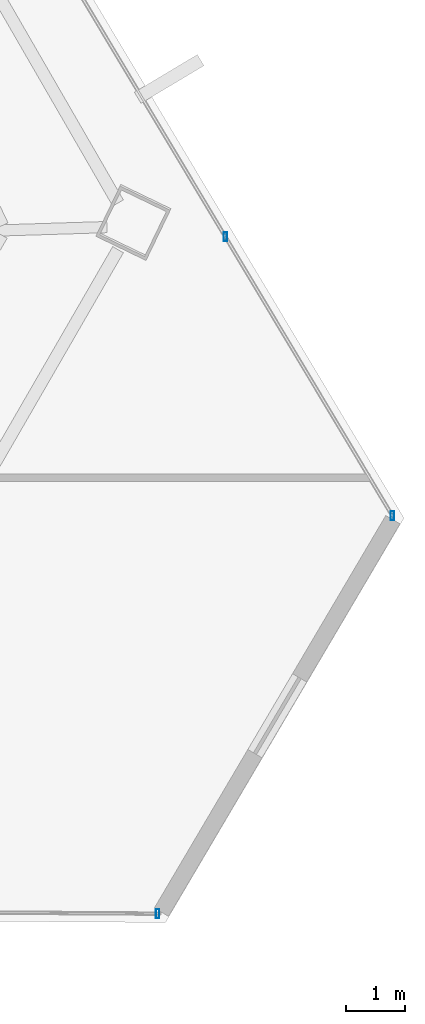
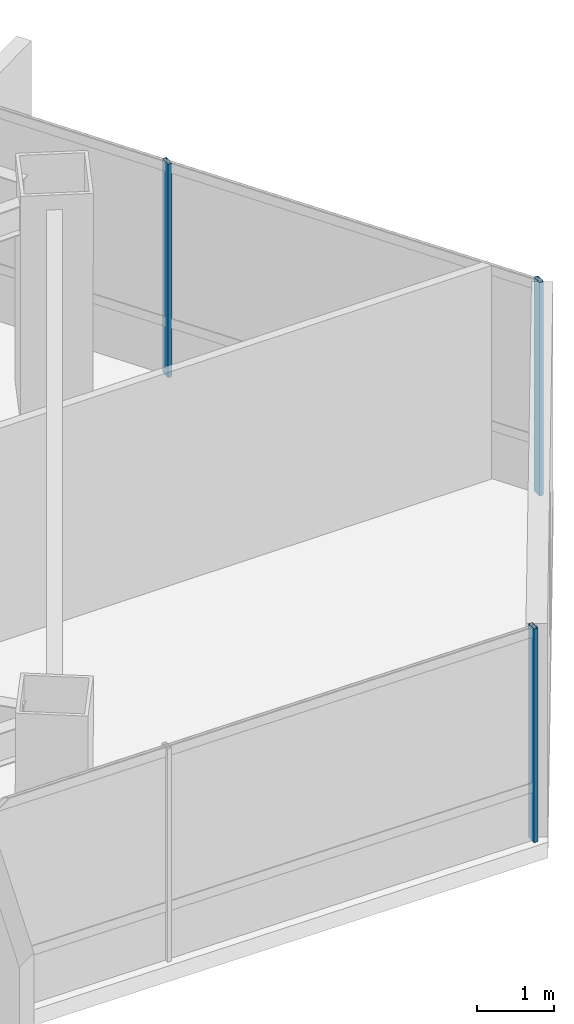
# One storey, part 20 of 41: 3 members, 2 elements without a shape of their own.
"""IFC4 building model written with IfcOpenShell, lengths in metres."""

from ifc_helpers import new_model, si_unit, direction, frame, origin, origin_2d, place, context, subcontext, project, spatial, hollow_rectangle, extrude, source, transform, mapped, material, material_profile, profile_set, type_object, type_shapes, element, aggregate, save


model = new_model("IFC4")

# Units and contexts
model_context = context("Model", 3, precision=1e-05, world=origin(), true_north=direction((0.0, 1.0)))
body_context = subcontext(model_context, "Body", "Model", "MODEL_VIEW")
ifc_project = project(units=[si_unit("LENGTHUNIT", "METRE"), si_unit("AREAUNIT", "SQUARE_METRE"), si_unit("VOLUMEUNIT", "CUBIC_METRE"), si_unit("PLANEANGLEUNIT", "RADIAN"), si_unit("MASSUNIT", "GRAM", prefix="KILO")], contexts=[model_context])

# Site, building, storey
site_placement = place(None, origin())
site = spatial("IfcSite", under=ifc_project, at=site_placement, CompositionType="ELEMENT")
building_placement = place(site_placement, origin())
building = spatial("IfcBuilding", under=site, at=building_placement, Name="Caelisora Broadcast Tower", CompositionType="ELEMENT")
storey_placement = place(building_placement, frame((0.0, 0.0, 165.800048828125)))
storey = spatial("IfcBuildingStorey", under=building, at=storey_placement, Name="L43", CompositionType="ELEMENT", Elevation=165.800048828125)

# Curtain wall, members
ifc_material_1 = material(Name="Unitised Aluminium and Low-E Glass Curtain Wall", Category="glass")
curtain_wall_type = type_object("IfcCurtainWallType", Name="CW-Z3", PredefinedType="NOTDEFINED", material=ifc_material_1)
curtain_wall_1_placement = place(storey_placement, origin())
curtain_wall_1 = element("IfcCurtainWall", 1, at=curtain_wall_1_placement, inside=storey, type_object=curtain_wall_type, Name="L43 curtain wall CW-Z3", PredefinedType="NOTDEFINED")
ifc_material_2 = material(Name="Aluminium 6063-T6 Anodised Terracotta Bronze", Category="aluminium")
ifc_material_profile = material_profile(ifc_material_2, hollow_rectangle(XDim=0.06005859375, YDim=0.14990234375, WallThickness=0.00341796875, at=origin_2d()), Name="Aluminium 6063-T6 Anodised Terracotta Bronze")
ifc_profile_set = profile_set([ifc_material_profile], Name="Aluminium 6063-T6 Anodised Terracotta Bronze")
member_type = type_object("IfcMemberType", Name="CWM-03", PredefinedType="MULLION", material=ifc_profile_set)
shared_shape = source(origin(), body_context, "Body", "SweptSolid", [
    extrude(hollow_rectangle(XDim=0.06005859375, YDim=0.14990234375, WallThickness=0.00341796875, at=origin_2d()), origin(), (0.0, 0.0, 1.0), 3.39990234375),
])
type_shapes(member_type, [shared_shape])
member_1_placement = place(storey_placement, frame((62.064453125, 17.691650390625, 0.0), z_axis=(0.0, 0.0, 1.0), x_axis=(1.0, 0.0, 0.0)))
member_1 = element("IfcMember", 2, at=member_1_placement, type_object=member_type, Name="L43-CW-B03 mullion #2", PredefinedType="MULLION", context=body_context, shape_type="MappedRepresentation", body=[
    mapped(shared_shape, transform((0.0, 0.0, 0.0), scale=1.0)),
])
member_2_placement = place(storey_placement, frame((64.911376953125, 12.935791015625, 0.0), z_axis=(0.0, 0.0, 1.0), x_axis=(1.0, 0.0, 0.0)))
member_2 = element("IfcMember", 3, at=member_2_placement, type_object=member_type, Name="L43-CW-B03 mullion #3", PredefinedType="MULLION", context=body_context, shape_type="MappedRepresentation", body=[
    mapped(shared_shape, transform((0.0, 0.0, 0.0), scale=1.0)),
])
aggregate(curtain_wall_1, [member_1, member_2])

# Curtain wall, member
curtain_wall_2_placement = place(storey_placement, origin())
curtain_wall_2 = element("IfcCurtainWall", 4, at=curtain_wall_2_placement, inside=storey, type_object=curtain_wall_type, Name="L43 curtain wall CW-Z3", PredefinedType="NOTDEFINED")
member_3_placement = place(storey_placement, frame((60.910888671875, 6.1513671875, 0.0), z_axis=(0.0, 0.0, 1.0), x_axis=(1.0, 0.0, 0.0)))
member_3 = element("IfcMember", 5, at=member_3_placement, type_object=member_type, Name="L43-CW-B05 mullion #0", PredefinedType="MULLION", context=body_context, shape_type="MappedRepresentation", body=[
    mapped(shared_shape, transform((0.0, 0.0, 0.0), scale=1.0)),
])
aggregate(curtain_wall_2, [member_3])

save(model, "model.ifc")
